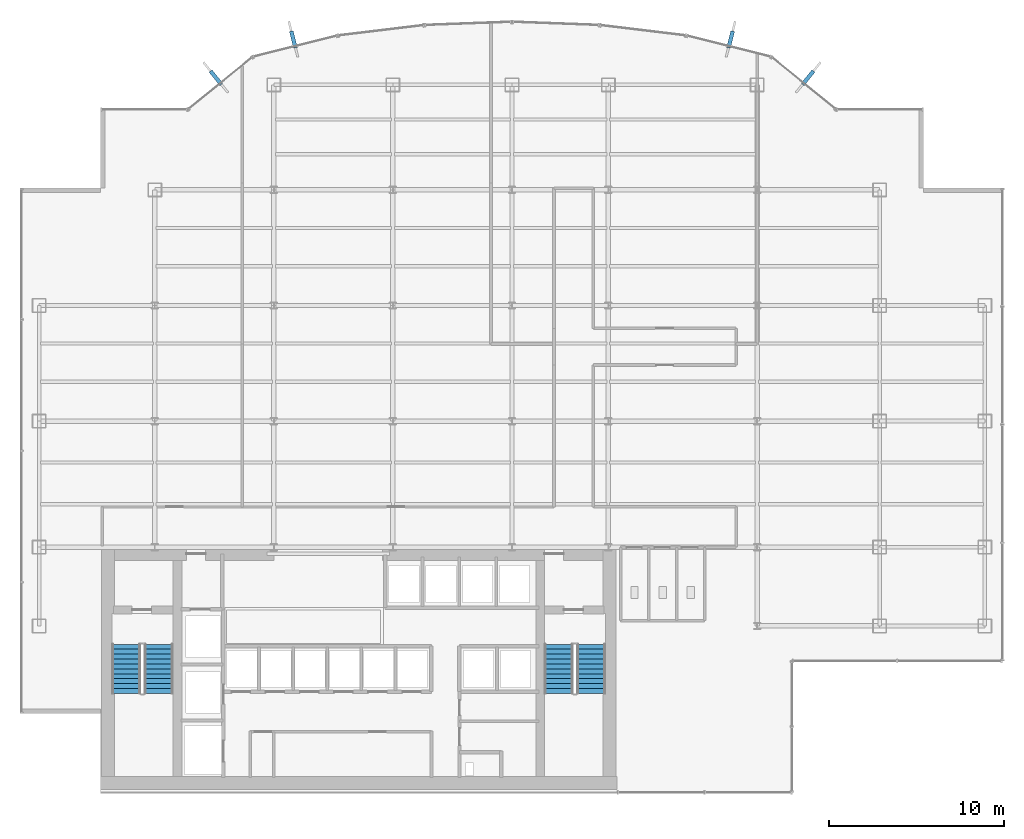
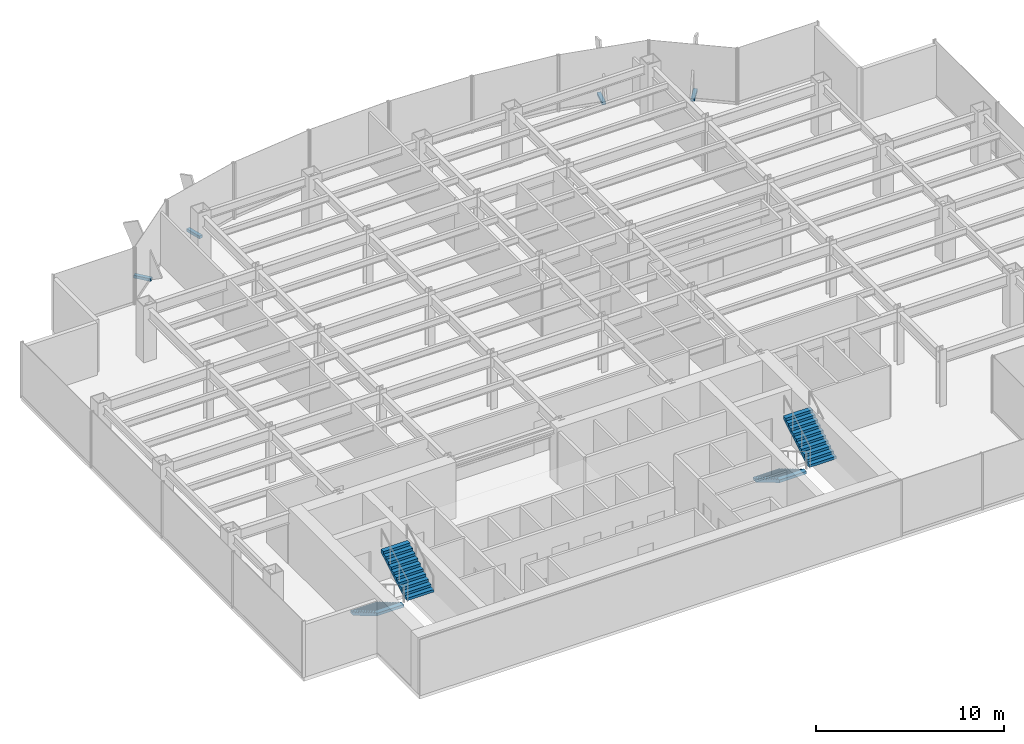
# One storey, part 23 of 26: 4 discrete accessories, 4 stair flights, 2 elements without a shape of their own.
"""IFC4 building model written with IfcOpenShell, lengths in metres."""

from ifc_helpers import new_model, si_unit, derived_unit, direction, frame, origin, origin_2d, place, context, subcontext, project, spatial, polyline, rectangle, outline, extrude, source, transform, mapped, material, type_object, element, aggregate, save


model = new_model("IFC4")

# Units and contexts
model_context = context("Model", 3, precision=1e-05, world=origin(), true_north=direction((0.0, 1.0)))
body_context = subcontext(model_context, "Body", "Model", "MODEL_VIEW")
ifc_project = project(units=[si_unit("LENGTHUNIT", "METRE"), si_unit("AREAUNIT", "SQUARE_METRE"), si_unit("VOLUMEUNIT", "CUBIC_METRE"), si_unit("PLANEANGLEUNIT", "RADIAN"), si_unit("MASSUNIT", "GRAM", prefix="KILO"), derived_unit("THERMALTRANSMITTANCEUNIT", [(si_unit("POWERUNIT", "WATT"), 1), (si_unit("LENGTHUNIT", "METRE"), -2), (si_unit("THERMODYNAMICTEMPERATUREUNIT", "KELVIN"), -1)])], contexts=[model_context])

# Site, building, storey
site_placement = place(None, origin())
site = spatial("IfcSite", under=ifc_project, at=site_placement, CompositionType="ELEMENT")
building_placement = place(site_placement, origin())
building = spatial("IfcBuilding", under=site, at=building_placement, Name="Skarnbrae Concourse Arena and Tower", CompositionType="ELEMENT")
storey_placement = place(building_placement, frame((0.0, 0.0, 117.85009765625)))
storey = spatial("IfcBuildingStorey", under=building, at=storey_placement, Name="L29", CompositionType="ELEMENT", Elevation=117.85009765625)

# Stair, stair flights
ifc_material_1 = material(Name="Concrete 40 MPa (C40/50)", Category="concrete")
stair_type = type_object("IfcStairType", Name="STAIR-DOGLEG-1650", PredefinedType="HALF_TURN_STAIR", material=ifc_material_1)
stair_1_placement = place(storey_placement, origin())
stair_1 = element("IfcStair", 1, at=stair_1_placement, inside=storey, type_object=stair_type, Name="L29 Protected Exit Stair ST-1", PredefinedType="HALF_TURN_STAIR")
stair_flight_type = type_object("IfcStairFlightType", Name="FLIGHT-STRAIGHT-1650", PredefinedType="STRAIGHT", material=ifc_material_1)
shared_shape_1 = source(origin(), body_context, "Body", "SweptSolid", [
    extrude(outline(polyline([(0.0, 0.0), (0.0, 0.166015625), (0.280029296875, 0.166015625), (0.280029296875, 0.331787109375), (0.56005859375, 0.331787109375), (0.56005859375, 0.497802734375), (0.840087890625, 0.497802734375), (0.840087890625, 0.66357421875), (1.1201171875, 0.66357421875), (1.1201171875, 0.82958984375), (1.39990234375, 0.82958984375), (1.39990234375, 0.995361328125), (1.679931640625, 0.995361328125), (1.679931640625, 1.161376953125), (1.9599609375, 1.161376953125), (1.9599609375, 1.327392578125), (2.239990234375, 1.327392578125), (2.239990234375, 1.4931640625), (2.52001953125, 1.4931640625), (2.52001953125, 1.6591796875), (2.800048828125, 1.6591796875), (2.800048828125, 1.824951171875), (2.800048828125, 1.48486328125), (0.2939453125, 0.0), (0.0, 0.0)])), frame((0.0, 0.824951171875, 0.0), z_axis=(0.0, -1.0, 0.0), x_axis=(1.0, 0.0, 0.0)), (0.0, 0.0, 1.0), 1.64990234375),
])
stair_flight_1_placement = place(storey_placement, frame((5.97509765625, 8.449951171875, 0.0), z_axis=(0.0, 0.0, 1.0), x_axis=(0.0, -1.0, 0.0)))
stair_flight_1 = element("IfcStairFlight", 2, at=stair_flight_1_placement, type_object=stair_flight_type, Name="ST-1 flight 1", NumberOfRisers=11, NumberOfTreads=10, PredefinedType="STRAIGHT", RiserHeight=0.165909091, TreadLength=0.28, context=body_context, shape_type="MappedRepresentation", body=[
    mapped(shared_shape_1, transform((0.0, 0.0, 0.0))),
])
stair_flight_2_placement = place(storey_placement, frame((7.824951171875, 5.64990234375, 1.824951171875), z_axis=(0.0, 0.0, 1.0), x_axis=(0.0, 1.0, 0.0)))
stair_flight_2 = element("IfcStairFlight", 3, at=stair_flight_2_placement, type_object=stair_flight_type, Name="ST-1 flight 2", NumberOfRisers=11, NumberOfTreads=10, PredefinedType="STRAIGHT", RiserHeight=0.165909091, TreadLength=0.28, context=body_context, shape_type="MappedRepresentation", body=[
    mapped(shared_shape_1, transform((0.0, 0.0, 0.0))),
])
aggregate(stair_1, [stair_flight_1, stair_flight_2])

stair_2_placement = place(storey_placement, origin())
stair_2 = element("IfcStair", 4, at=stair_2_placement, inside=storey, type_object=stair_type, Name="L29 Protected Exit Stair ST-2", PredefinedType="HALF_TURN_STAIR")
stair_flight_3_placement = place(storey_placement, frame((30.675048828125, 8.449951171875, 0.0), z_axis=(0.0, 0.0, 1.0), x_axis=(0.0, -1.0, 0.0)))
stair_flight_3 = element("IfcStairFlight", 5, at=stair_flight_3_placement, type_object=stair_flight_type, Name="ST-2 flight 1", NumberOfRisers=11, NumberOfTreads=10, PredefinedType="STRAIGHT", RiserHeight=0.165909091, TreadLength=0.28, context=body_context, shape_type="MappedRepresentation", body=[
    mapped(shared_shape_1, transform((0.0, 0.0, 0.0))),
])
stair_flight_4_placement = place(storey_placement, frame((32.52490234375, 5.64990234375, 1.824951171875), z_axis=(0.0, 0.0, 1.0), x_axis=(0.0, 1.0, 0.0)))
stair_flight_4 = element("IfcStairFlight", 6, at=stair_flight_4_placement, type_object=stair_flight_type, Name="ST-2 flight 2", NumberOfRisers=11, NumberOfTreads=10, PredefinedType="STRAIGHT", RiserHeight=0.165909091, TreadLength=0.28, context=body_context, shape_type="MappedRepresentation", body=[
    mapped(shared_shape_1, transform((0.0, 0.0, 0.0))),
])
aggregate(stair_2, [stair_flight_3, stair_flight_4])

# Discrete accessories
ifc_material_2 = material(Name="Bronze anodised aluminium 6063-T6", Category="aluminium")
discrete_accessory_type = type_object("IfcDiscreteAccessoryType", Name="ACC-FIN-BRACKET", PredefinedType="BRACKET", material=ifc_material_2)
shared_shape_2 = source(origin(), body_context, "Body", "SweptSolid", [
    extrude(rectangle(XDim=0.219970703125, YDim=0.97998046875, at=origin_2d()), origin(), (0.0, 0.0, 1.0), 0.179931640625),
])
for number, where, z_axis, x_axis, name in (
    (7, (44.90771484375, 40.80859375, -0.0302734375), (0.0, 0.0, 1.0), (0.776244501415, -0.630431974144, 0.0), "L29 Bronze fin foot support bracket 08"),
    (8, (40.485107421875, 42.992431640625, -0.0302734375), (0.0, 0.0, 1.0), (0.969901771235, -0.243496517748, 0.0), "L29 Bronze fin foot support bracket 09"),
    (9, (15.514892578125, 42.992431640625, -0.0302734375), (0.0, 0.0, 1.0), (0.969901771235, 0.243496517748, 0.0), "L29 Bronze fin foot support bracket 14"),
    (10, (11.09228515625, 40.80859375, -0.0302734375), (0.0, 0.0, 1.0), (0.776244501415, 0.630431974144, 0.0), "L29 Bronze fin foot support bracket 15"),
):
    element("IfcDiscreteAccessory", number, at=place(storey_placement, frame(where, z_axis=z_axis, x_axis=x_axis)), inside=storey, type_object=discrete_accessory_type, Name=name, PredefinedType="BRACKET", context=body_context, shape_type="MappedRepresentation", body=[
        mapped(shared_shape_2, transform((0.0, 0.0, 0.0))),
    ])

save(model, "model.ifc")
